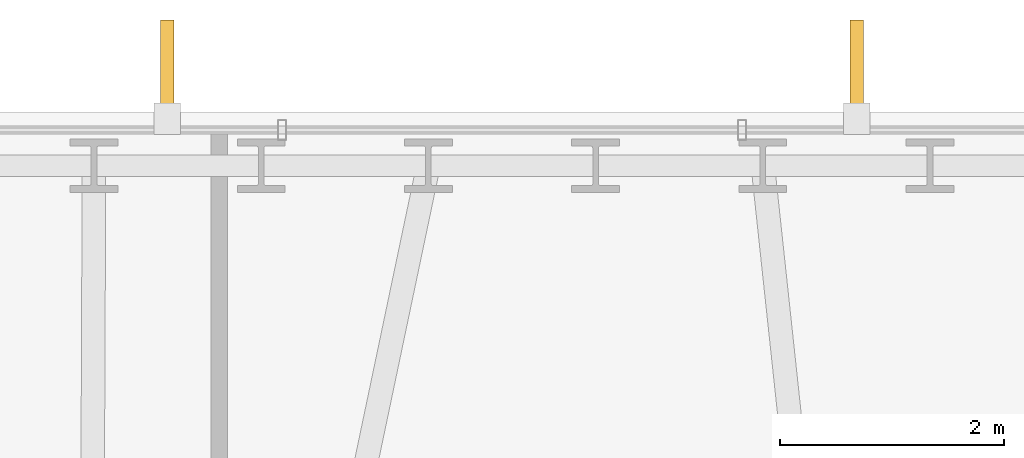
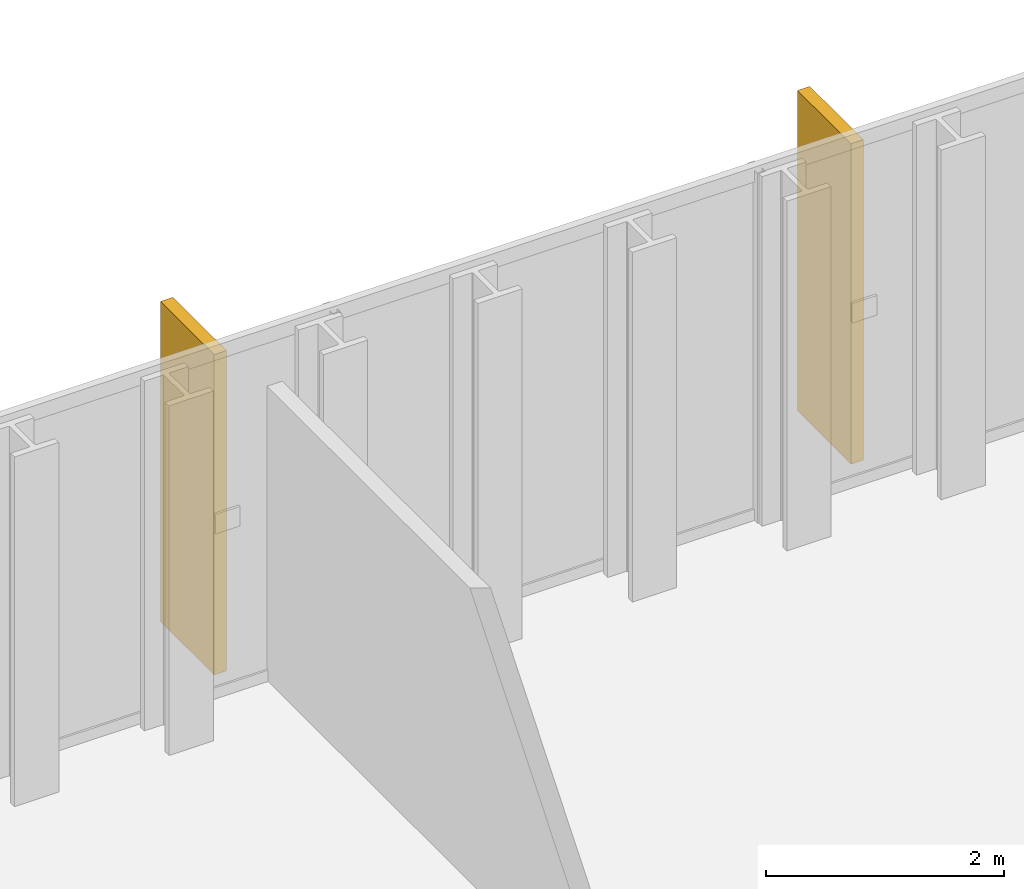
# One storey, part 32 of 32: 2 shading devices.
"""IFC4 building model written with IfcOpenShell, lengths in metres."""

from ifc_helpers import new_model, si_unit, direction, frame, origin, origin_2d, place, context, subcontext, project, spatial, rectangle, extrude, material, type_object, element, save


model = new_model("IFC4")

# Units and contexts
model_context = context("Model", 3, precision=1e-05, world=origin(), true_north=direction((0.0, 1.0)))
body_context = subcontext(model_context, "Body", "Model", "MODEL_VIEW")
ifc_project = project(units=[si_unit("LENGTHUNIT", "METRE"), si_unit("AREAUNIT", "SQUARE_METRE"), si_unit("VOLUMEUNIT", "CUBIC_METRE"), si_unit("PLANEANGLEUNIT", "RADIAN"), si_unit("MASSUNIT", "GRAM", prefix="KILO")], contexts=[model_context])

# Site, building, storey
site_placement = place(None, origin())
site = spatial("IfcSite", under=ifc_project, at=site_placement, CompositionType="ELEMENT")
building_placement = place(site_placement, origin())
building = spatial("IfcBuilding", under=site, at=building_placement, Name="Ndaravel Arena Tower", CompositionType="ELEMENT")
storey_placement = place(building_placement, frame((0.0, 0.0, 130.800048828125)))
storey = spatial("IfcBuildingStorey", under=building, at=storey_placement, Name="L30", CompositionType="ELEMENT", Elevation=130.800048828125)

# Shading devices
ifc_material = material(Name="Masonry", Category="masonry")
shading_device_type = type_object("IfcShadingDeviceType", Name="SHD-MAZERAS-FIN", PredefinedType="SHUTTER", material=ifc_material)
for number, where, z_axis, x_axis, name in (
    (1, (45.083251953125, 46.590087890625, 0.14990234375), (0.0, 0.0, 1.0), (0.0, 1.0, 0.0), "L30 Mazeras Stone Solar Fin E4.1"),
    (2, (38.916748046875, 46.590087890625, 0.14990234375), (0.0, 0.0, 1.0), (0.0, 1.0, 0.0), "L30 Mazeras Stone Solar Fin E4.2"),
):
    element("IfcShadingDevice", number, at=place(storey_placement, frame(where, z_axis=z_axis, x_axis=x_axis)), inside=storey, type_object=shading_device_type, Name=name, PredefinedType="SHUTTER", context=body_context, shape_type="SweptSolid", body=[
        extrude(rectangle(XDim=0.89990234375, YDim=0.1201171875, at=origin_2d()), origin(), (0.0, 0.0, 1.0), 3.280029296875),
    ])

save(model, "model.ifc")
